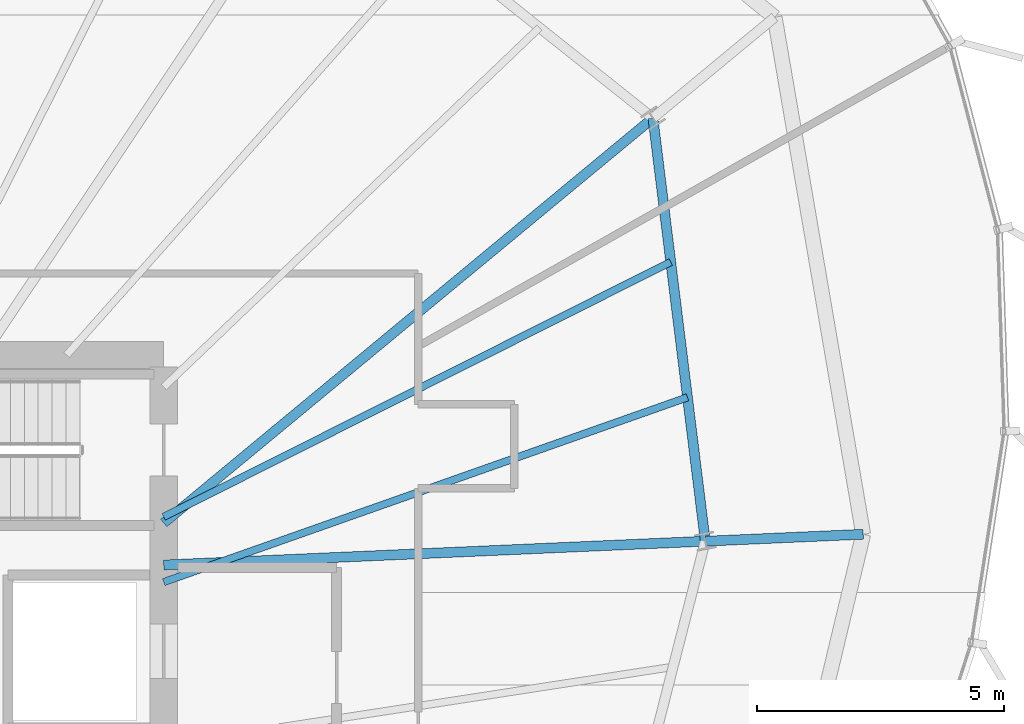
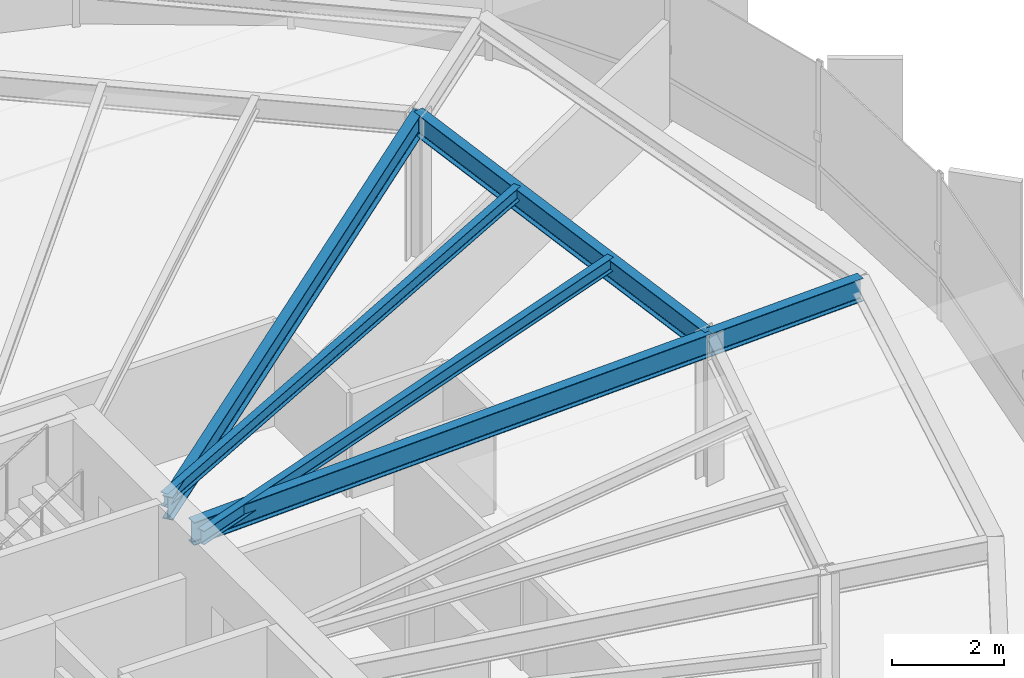
# One storey, part 18 of 34: 6 beams.
"""IFC4 building model written with IfcOpenShell, lengths in metres."""

from ifc_helpers import new_model, si_unit, direction, frame, origin, origin_2d, place, context, subcontext, project, spatial, i_section, extrude, source, transform, mapped, material, material_profile, profile_set, type_object, element, save


model = new_model("IFC4")

# Units and contexts
model_context = context("Model", 3, precision=1e-05, world=origin(), true_north=direction((0.0, 1.0)))
body_context = subcontext(model_context, "Body", "Model", "MODEL_VIEW")
ifc_project = project(units=[si_unit("LENGTHUNIT", "METRE"), si_unit("AREAUNIT", "SQUARE_METRE"), si_unit("VOLUMEUNIT", "CUBIC_METRE"), si_unit("PLANEANGLEUNIT", "RADIAN"), si_unit("MASSUNIT", "GRAM", prefix="KILO"), si_unit("THERMODYNAMICTEMPERATUREUNIT", "KELVIN")], contexts=[model_context])

# Site, building, storey
site_placement = place(None, origin())
site = spatial("IfcSite", under=ifc_project, at=site_placement, CompositionType="ELEMENT")
building_placement = place(site_placement, origin())
building = spatial("IfcBuilding", under=site, at=building_placement, Name="Kethvar Cultural Tower", CompositionType="ELEMENT")
storey_placement = place(building_placement, frame((0.0, 0.0, 183.39990234375)))
storey = spatial("IfcBuildingStorey", under=building, at=storey_placement, Name="L47", CompositionType="ELEMENT", Elevation=183.39990234375)

# Beams
ifc_material = material(Name="Steel S355J2", Category="steel")
ifc_material_profile_1 = material_profile(ifc_material, i_section(OverallWidth=0.199951171875, OverallDepth=0.5, WebThickness=0.01025390625, FlangeThickness=0.01611328125, FilletRadius=0.02099609375, at=origin_2d()), Name="Steel S355J2 — IPE500")
ifc_profile_set_1 = profile_set([ifc_material_profile_1], Name="Steel S355J2 — IPE500")
beam_type_1 = type_object("IfcBeamType", Name="BM-IPE500", PredefinedType="BEAM", material=ifc_profile_set_1)
shared_shape_1 = source(origin(), body_context, "Body", "SweptSolid", [
    extrude(i_section(OverallWidth=0.199951171875, OverallDepth=0.5, WebThickness=0.01025390625, FlangeThickness=0.01611328125, FilletRadius=0.02099609375, at=origin_2d()), origin(), (0.0, 0.0, 1.0), 10.974365234375),
])
beam_1_placement = place(storey_placement, frame((55.60009765625, 31.25, 3.008056640625), z_axis=(0.999038235064, 0.043847518511, 0.0), x_axis=(-0.043847518511, 0.999038235064, 0.0)))
element("IfcBeam", 1, at=beam_1_placement, inside=storey, type_object=beam_type_1, Name="L47 Primary Radial Beam RB-01", PredefinedType="BEAM", context=body_context, shape_type="MappedRepresentation", body=[
    mapped(shared_shape_1, transform((0.0, 0.0, 0.0), scale=1.0)),
])
shared_shape_2 = source(origin(), body_context, "Body", "SweptSolid", [
    extrude(i_section(OverallWidth=0.199951171875, OverallDepth=0.5, WebThickness=0.01025390625, FlangeThickness=0.01611328125, FilletRadius=0.02099609375, at=origin_2d()), origin(), (0.0, 0.0, 1.0), 3.2001953125),
])
beam_2_placement = place(storey_placement, frame((66.56396484375, 31.731201171875, 3.008056640625), z_axis=(0.999037352633, 0.043867619531, 0.0), x_axis=(-0.043867619531, 0.999037352633, 0.0)))
element("IfcBeam", 2, at=beam_2_placement, inside=storey, type_object=beam_type_1, Name="L47 Perimeter Cantilever Beam RC-01", PredefinedType="BEAM", context=body_context, shape_type="MappedRepresentation", body=[
    mapped(shared_shape_2, transform((0.0, 0.0, 0.0), scale=1.0)),
])
shared_shape_3 = source(origin(), body_context, "Body", "SweptSolid", [
    extrude(i_section(OverallWidth=0.199951171875, OverallDepth=0.5, WebThickness=0.01025390625, FlangeThickness=0.01611328125, FilletRadius=0.02099609375, at=origin_2d()), origin(), (0.0, 0.0, 1.0), 12.8564453125),
])
beam_3_placement = place(storey_placement, frame((55.60009765625, 32.10009765625, 3.008056640625), z_axis=(0.770354115625, 0.637616292561, 0.0), x_axis=(-0.637616292561, 0.770354115625, 0.0)))
element("IfcBeam", 3, at=beam_3_placement, inside=storey, type_object=beam_type_1, Name="L47 Primary Radial Beam RB-02", PredefinedType="BEAM", context=body_context, shape_type="MappedRepresentation", body=[
    mapped(shared_shape_3, transform((0.0, 0.0, 0.0), scale=1.0)),
])
shared_shape_4 = source(origin(), body_context, "Body", "SweptSolid", [
    extrude(i_section(OverallWidth=0.199951171875, OverallDepth=0.5, WebThickness=0.01025390625, FlangeThickness=0.01611328125, FilletRadius=0.02099609375, at=origin_2d()), origin(), (0.0, 0.0, 1.0), 8.6318359375),
])
beam_4_placement = place(storey_placement, frame((66.56396484375, 31.731201171875, 3.008056640625), z_axis=(-0.122781430908, 0.992433735936, 0.0), x_axis=(-0.992433735936, -0.122781430908, 0.0)))
element("IfcBeam", 4, at=beam_4_placement, inside=storey, type_object=beam_type_1, Name="L47 Column Ring Tie Beam CR-01", PredefinedType="BEAM", context=body_context, shape_type="MappedRepresentation", body=[
    mapped(shared_shape_4, transform((0.0, 0.0, 0.0), scale=1.0)),
])
ifc_material_profile_2 = material_profile(ifc_material, i_section(OverallWidth=0.14990234375, OverallDepth=0.300048828125, WebThickness=0.007080078125, FlangeThickness=0.0107421875, FilletRadius=0.014892578125, at=origin_2d()), Name="Steel S355J2 — IPE300")
ifc_profile_set_2 = profile_set([ifc_material_profile_2], Name="Steel S355J2 — IPE300")
beam_type_2 = type_object("IfcBeamType", Name="BM-J300", PredefinedType="JOIST", material=ifc_profile_set_2)
shared_shape_5 = source(origin(), body_context, "Body", "SweptSolid", [
    extrude(i_section(OverallWidth=0.14990234375, OverallDepth=0.300048828125, WebThickness=0.007080078125, FlangeThickness=0.0107421875, FilletRadius=0.014892578125, at=origin_2d()), origin(), (0.0, 0.0, 1.0), 11.24365234375),
])
beam_5_placement = place(storey_placement, frame((55.60009765625, 30.90380859375, 3.108154296875), z_axis=(0.943058059975, 0.332628164044, 0.0), x_axis=(-0.332628164044, 0.943058059975, 0.0)))
element("IfcBeam", 5, at=beam_5_placement, inside=storey, type_object=beam_type_2, Name="L47 Composite Floor Joist J-01A", PredefinedType="JOIST", context=body_context, shape_type="MappedRepresentation", body=[
    mapped(shared_shape_5, transform((0.0, 0.0, 0.0), scale=1.0)),
])
shared_shape_6 = source(origin(), body_context, "Body", "SweptSolid", [
    extrude(i_section(OverallWidth=0.14990234375, OverallDepth=0.300048828125, WebThickness=0.007080078125, FlangeThickness=0.0107421875, FilletRadius=0.014892578125, at=origin_2d()), origin(), (0.0, 0.0, 1.0), 11.48876953125),
])
beam_6_placement = place(storey_placement, frame((55.60009765625, 32.224365234375, 3.108154296875), z_axis=(0.893434724969, 0.449193045605, 0.0), x_axis=(-0.449193045605, 0.893434724969, 0.0)))
element("IfcBeam", 6, at=beam_6_placement, inside=storey, type_object=beam_type_2, Name="L47 Composite Floor Joist J-01B", PredefinedType="JOIST", context=body_context, shape_type="MappedRepresentation", body=[
    mapped(shared_shape_6, transform((0.0, 0.0, 0.0), scale=1.0)),
])

save(model, "model.ifc")
